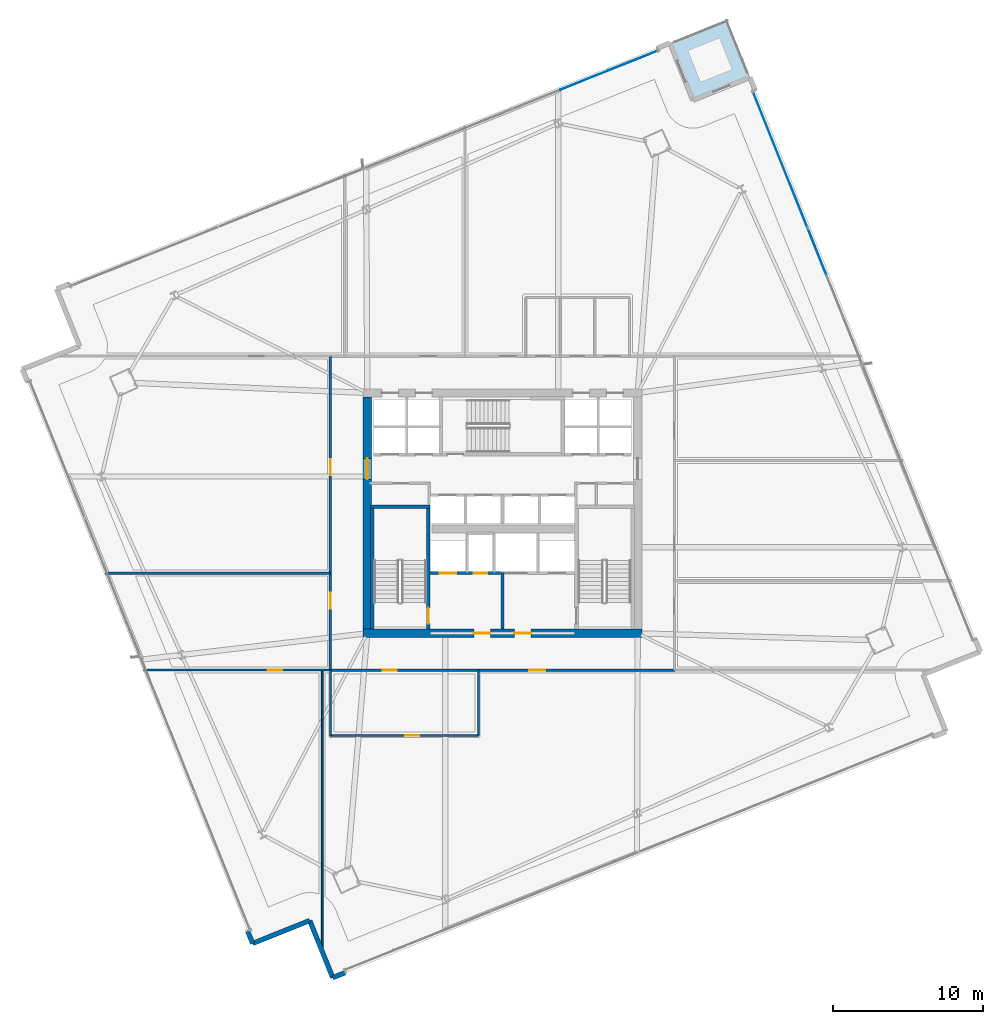
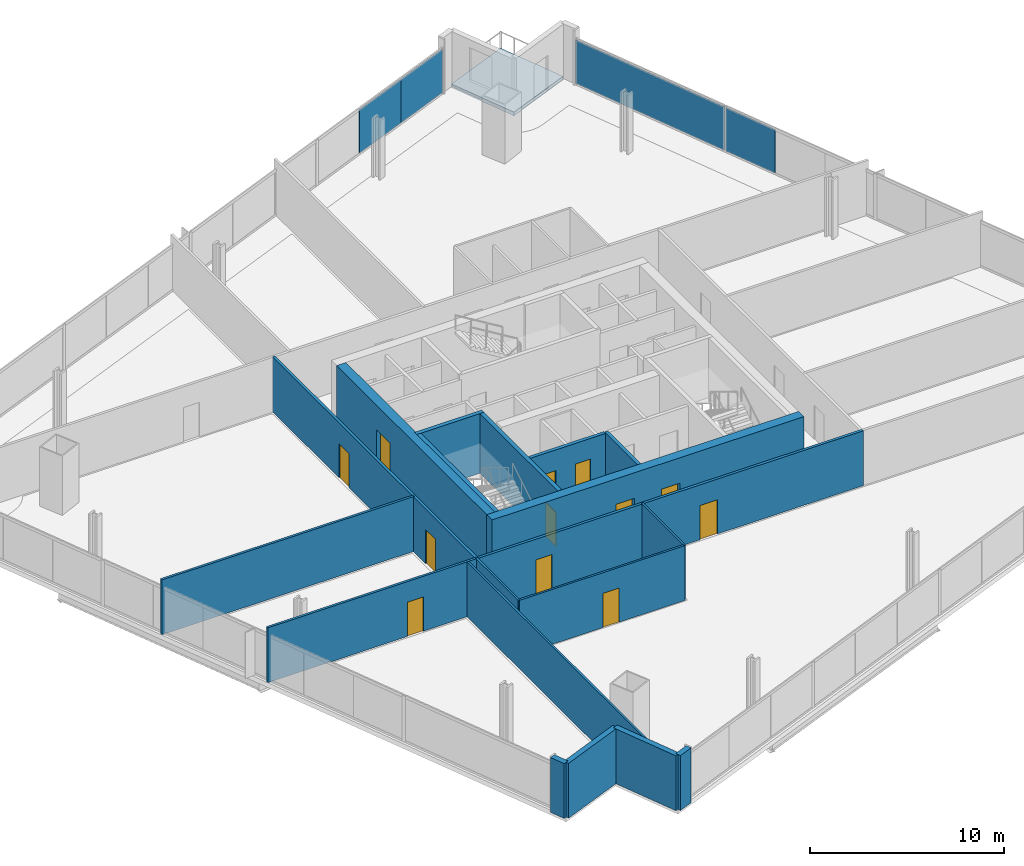
# One storey, part 24 of 33: 19 walls, 12 doors, 4 plates, 1 slab, 12 openings, 2 elements without a shape of their own.
"""IFC4 building model written with IfcOpenShell, lengths in metres."""

from ifc_helpers import new_model, si_unit, direction, frame, frame_2d, origin, origin_2d, place, context, subcontext, project, spatial, polyline, rectangle, outline, extrude, source, transform, mapped, material, layer, layer_set, type_object, element, fill, aggregate, save


model = new_model("IFC4")

# Units and contexts
model_context = context("Model", 3, precision=1e-05, world=origin(), true_north=direction((0.0, 1.0)))
body_context = subcontext(model_context, "Body", "Model", "MODEL_VIEW")
ifc_project = project(units=[si_unit("LENGTHUNIT", "METRE"), si_unit("AREAUNIT", "SQUARE_METRE"), si_unit("VOLUMEUNIT", "CUBIC_METRE"), si_unit("PLANEANGLEUNIT", "RADIAN"), si_unit("MASSUNIT", "GRAM", prefix="KILO")], contexts=[model_context])

# Site, building, storey
site_placement = place(None, origin())
site = spatial("IfcSite", under=ifc_project, at=site_placement, CompositionType="ELEMENT")
building_placement = place(site_placement, origin())
building = spatial("IfcBuilding", under=site, at=building_placement, Name="Haldenkirk Collegiate Tower", CompositionType="ELEMENT")
storey_placement = place(building_placement, frame((0.0, 0.0, 101.699951171875)))
storey = spatial("IfcBuildingStorey", under=building, at=storey_placement, Name="L24", CompositionType="ELEMENT", Elevation=101.699951171875)

# Slab
ifc_material_1 = material(Name="Concrete f'c 40 MPa", Category="concrete")
ifc_layer_1 = layer(ifc_material_1, 0.22998046875)
ifc_layer_set_1 = layer_set([ifc_layer_1], Name="Concrete f'c 40 MPa")
slab_type = type_object("IfcSlabType", Name="SLB-TERR-SPIRAL-230", PredefinedType="FLOOR", material=ifc_layer_set_1)
slab_placement = place(storey_placement, frame((0.0, 0.0, -0.22998046875)))
element("IfcSlab", 1, at=slab_placement, inside=storey, type_object=slab_type, Name="L24 spiralling corner terrace slab", PredefinedType="FLOOR", context=body_context, shape_type="SweptSolid", body=[
    extrude(outline(polyline([(48.67822265625, 53.49365234375), (52.483642578125, 55.01953125), (50.957763671875, 58.8251953125), (47.15234375, 57.299072265625), (48.67822265625, 53.49365234375)])), origin(), (0.0, 0.0, 1.0), 0.22998046875),
])

# Curtain wall, plates
ifc_material_2 = material(Name="Anodised architectural bronze aluminium", Category="aluminium")
curtain_wall_type = type_object("IfcCurtainWallType", Name="CW-SYS1-CONVEX-LOW", PredefinedType="USERDEFINED", material=ifc_material_2)
curtain_wall_1_placement = place(storey_placement, origin())
curtain_wall_1 = element("IfcCurtainWall", 2, at=curtain_wall_1_placement, inside=storey, type_object=curtain_wall_type, Name="L24 Lower tower convex bronze-framed unitised curtain wall", ObjectType="UNITISED CURTAIN WALL", PredefinedType="USERDEFINED")
ifc_material_3 = material(Name="Low-E argon triple insulating glass", Category="glass")
ifc_layer_2 = layer(ifc_material_3, 0.0439453125)
ifc_layer_set_2 = layer_set([ifc_layer_2], Name="Low-E argon triple insulating glass")
plate_type_1 = type_object("IfcPlateType", Name="CW-PNL-1A", PredefinedType="CURTAIN_PANEL", material=ifc_layer_set_2)
shared_shape_1 = source(origin(), body_context, "Body", "SweptSolid", [
    extrude(rectangle(XDim=9.72998046875, YDim=0.0439453125, at=origin_2d()), origin(), (0.0, 0.0, 1.0), 2.740966796875),
])
plate_1_placement = place(storey_placement, frame((54.491943359375, 49.527587890625, 0.080078125), z_axis=(0.0, 0.0, 1.0), x_axis=(0.372175157841, -0.928162513726, 0.0)))
plate_1 = element("IfcPlate", 3, at=plate_1_placement, type_object=plate_type_1, Name="CW-1A panel 1.1", PredefinedType="CURTAIN_PANEL", context=body_context, shape_type="MappedRepresentation", body=[
    mapped(shared_shape_1, transform((0.0, 0.0, 0.0), x_axis=(1.0, 0.0, 0.0), y_axis=(0.0, 1.0, 0.0), z_axis=(0.0, 0.0, 1.0), scale=1.0)),
])
ifc_material_4 = material(Name="Bronze-anodised insulated aluminium spandrel panel", Category="aluminium")
ifc_layer_3 = layer(ifc_material_4, 0.0439453125)
ifc_layer_set_3 = layer_set([ifc_layer_3], Name="Bronze-anodised insulated aluminium spandrel panel")
plate_type_2 = type_object("IfcPlateType", Name="CW-SPD-1A", PredefinedType="CURTAIN_PANEL", material=ifc_layer_set_3)
shared_shape_2 = source(origin(), body_context, "Body", "SweptSolid", [
    extrude(rectangle(XDim=3.244140625, YDim=0.0439453125, at=origin_2d()), origin(), (0.0, 0.0, 1.0), 2.740966796875),
])
plate_2_placement = place(storey_placement, frame((56.93603515625, 43.43212890625, 0.080078125), z_axis=(0.0, 0.0, 1.0), x_axis=(0.372175157841, -0.928162513726, 0.0)))
plate_2 = element("IfcPlate", 4, at=plate_2_placement, type_object=plate_type_2, Name="CW-1A spandrel panel 2.1a", PredefinedType="CURTAIN_PANEL", context=body_context, shape_type="MappedRepresentation", body=[
    mapped(shared_shape_2, transform((0.0, 0.0, 0.0), x_axis=(1.0, 0.0, 0.0), y_axis=(0.0, 1.0, 0.0), z_axis=(0.0, 0.0, 1.0), scale=1.0)),
])
aggregate(curtain_wall_1, [plate_1, plate_2])

curtain_wall_2_placement = place(storey_placement, origin())
curtain_wall_2 = element("IfcCurtainWall", 5, at=curtain_wall_2_placement, inside=storey, type_object=curtain_wall_type, Name="L24 Lower tower convex bronze-framed unitised curtain wall", ObjectType="UNITISED CURTAIN WALL", PredefinedType="USERDEFINED")
shared_shape_3 = source(origin(), body_context, "Body", "SweptSolid", [
    extrude(rectangle(XDim=3.464111328125, YDim=0.0439453125, at=origin_2d()), origin(), (0.0, 0.0, 1.0), 2.740966796875),
])
plate_3_placement = place(storey_placement, frame((44.7021484375, 56.12255859375, 0.080078125), z_axis=(0.0, 0.0, 1.0), x_axis=(0.928162583061, 0.372174984928, 0.0)))
plate_3 = element("IfcPlate", 6, at=plate_3_placement, type_object=plate_type_1, Name="CW-1A panel 4.1c", PredefinedType="CURTAIN_PANEL", context=body_context, shape_type="MappedRepresentation", body=[
    mapped(shared_shape_3, transform((0.0, 0.0, 0.0), x_axis=(1.0, 0.0, 0.0), y_axis=(0.0, 1.0, 0.0), z_axis=(0.0, 0.0, 1.0), scale=1.0)),
])
shared_shape_4 = source(origin(), body_context, "Body", "SweptSolid", [
    extrude(rectangle(XDim=3.45166015625, YDim=0.0439453125, at=origin_2d()), origin(), (0.0, 0.0, 1.0), 2.740966796875),
])
plate_4_placement = place(storey_placement, frame((41.469482421875, 54.826416015625, 0.080078125), z_axis=(0.0, 0.0, 1.0), x_axis=(0.928162583061, 0.372174984928, 0.0)))
plate_4 = element("IfcPlate", 7, at=plate_4_placement, type_object=plate_type_1, Name="CW-1A panel 4.1b", PredefinedType="CURTAIN_PANEL", context=body_context, shape_type="MappedRepresentation", body=[
    mapped(shared_shape_4, transform((0.0, 0.0, 0.0), x_axis=(1.0, 0.0, 0.0), y_axis=(0.0, 1.0, 0.0), z_axis=(0.0, 0.0, 1.0), scale=1.0)),
])
aggregate(curtain_wall_2, [plate_4, plate_3])

# Wall, openings, doors
ifc_material_5 = material(Name="Concrete f'c 70 MPa", Category="concrete")
ifc_layer_4 = layer(ifc_material_5, 0.550048828125)
ifc_layer_set_4 = layer_set([ifc_layer_4], Name="Concrete f'c 70 MPa")
wall_type_1 = type_object("IfcWallType", Name="WL-CORE-550", PredefinedType="SHEAR", material=ifc_layer_set_4)
wall_1_placement = place(storey_placement, frame((26.72509765625, 18.0, 0.0), z_axis=(0.0, 0.0, 1.0), x_axis=(1.0, 0.0, 0.0)))
wall_1 = element("IfcWall", 8, at=wall_1_placement, inside=storey, type_object=wall_type_1, Name="L24 central core shear wall S", PredefinedType="SHEAR", context=body_context, shape_type="SweptSolid", body=[
    extrude(rectangle(XDim=18.5498046875, YDim=0.550048828125, at=frame_2d((9.27490234375, 0.0))), origin(), (0.0, 0.0, 1.0), 3.75),
])
opening_1_placement = place(wall_1_placement, frame((7.375, 0.0, 0.0)))
opening_1 = element("IfcOpeningElement", 9, at=opening_1_placement, cuts=wall_1, Name="Opening D-02", PredefinedType="OPENING", context=body_context, shape_type="SweptSolid", body=[
    extrude(rectangle(XDim=1.10009765625, YDim=2.14990234375, at=frame_2d((0.550048828125, 1.074951171875))), frame((0.0, 0.284912109375, 0.0), z_axis=(0.0, -1.0, 0.0), x_axis=(1.0, 0.0, 0.0)), (0.0, 0.0, 1.0), 0.570068359375),
])
opening_2_placement = place(wall_1_placement, frame((10.074951171875, 0.0, 0.0)))
opening_2 = element("IfcOpeningElement", 10, at=opening_2_placement, cuts=wall_1, Name="Opening D-02", PredefinedType="OPENING", context=body_context, shape_type="SweptSolid", body=[
    extrude(rectangle(XDim=1.10009765625, YDim=2.14990234375, at=frame_2d((0.550048828125, 1.074951171875))), frame((0.0, 0.284912109375, 0.0), z_axis=(0.0, -1.0, 0.0), x_axis=(1.0, 0.0, 0.0)), (0.0, 0.0, 1.0), 0.570068359375),
])
ifc_material_6 = material(Name="Galvanized fire-rated hollow steel door", Category="steel")
ifc_layer_5 = layer(ifc_material_6, 0.06005859375)
ifc_layer_set_5 = layer_set([ifc_layer_5], Name="Galvanized fire-rated hollow steel door")
door_type_1 = type_object("IfcDoorType", Name="DR-STAIR-FD90-1100", OperationType="NOTDEFINED", PredefinedType="DOOR", material=ifc_layer_set_5)
door_1_placement = place(opening_1_placement, origin())
door_1 = element("IfcDoor", 11, at=door_1_placement, inside=storey, type_object=door_type_1, Name="L24 Firefighting Lobby 1 door", OperationType="SINGLE_SWING_RIGHT", OverallHeight=2.14990234375, OverallWidth=1.10009765625, PredefinedType="DOOR", context=body_context, shape_type="SweptSolid", body=[
    extrude(rectangle(XDim=1.10009765625, YDim=2.14990234375, at=frame_2d((0.550048828125, 1.074951171875))), frame((0.0, 0.02490234375, 0.0), z_axis=(0.0, -1.0, 0.0), x_axis=(1.0, 0.0, 0.0)), (0.0, 0.0, 1.0), 0.050048828125),
])
fill(opening_1, door_1)
door_2_placement = place(opening_2_placement, origin())
door_2 = element("IfcDoor", 12, at=door_2_placement, inside=storey, type_object=door_type_1, Name="L24 Firefighting Lobby 2 door", OperationType="SINGLE_SWING_LEFT", OverallHeight=2.14990234375, OverallWidth=1.10009765625, PredefinedType="DOOR", context=body_context, shape_type="SweptSolid", body=[
    extrude(rectangle(XDim=1.10009765625, YDim=2.14990234375, at=frame_2d((0.550048828125, 1.074951171875))), frame((0.0, 0.02490234375, 0.0), z_axis=(0.0, -1.0, 0.0), x_axis=(1.0, 0.0, 0.0)), (0.0, 0.0, 1.0), 0.050048828125),
])
fill(opening_2, door_2)

# Wall, opening, door
wall_2_placement = place(storey_placement, frame((27.0, 18.27490234375, 0.0), z_axis=(0.0, 0.0, 1.0), x_axis=(0.0, 1.0, 0.0)))
wall_2 = element("IfcWall", 13, at=wall_2_placement, inside=storey, type_object=wall_type_1, Name="L24 central core shear wall W", PredefinedType="SHEAR", context=body_context, shape_type="SweptSolid", body=[
    extrude(rectangle(XDim=15.4501953125, YDim=0.550048828125, at=frame_2d((7.72509765625, 0.0))), origin(), (0.0, 0.0, 1.0), 3.75),
])
opening_3_placement = place(wall_2_placement, frame((9.965087890625, 0.0, 0.0)))
opening_3 = element("IfcOpeningElement", 14, at=opening_3_placement, cuts=wall_2, Name="Opening D-03", PredefinedType="OPENING", context=body_context, shape_type="SweptSolid", body=[
    extrude(rectangle(XDim=1.39990234375, YDim=2.199951171875, at=frame_2d((0.699951171875, 1.10009765625))), frame((0.0, 0.284912109375, 0.0), z_axis=(0.0, -1.0, 0.0), x_axis=(1.0, 0.0, 0.0)), (0.0, 0.0, 1.0), 0.570068359375),
])
ifc_layer_6 = layer(ifc_material_6, 0.06005859375)
ifc_layer_set_6 = layer_set([ifc_layer_6], Name="Galvanized fire-rated hollow steel door")
door_type_2 = type_object("IfcDoorType", Name="DR-LOBBY-FD90-1400", OperationType="NOTDEFINED", PredefinedType="DOOR", material=ifc_layer_set_6)
door_3_placement = place(opening_3_placement, origin())
door_3 = element("IfcDoor", 15, at=door_3_placement, inside=storey, type_object=door_type_2, Name="L24 west lift lobby portal", OperationType="DOUBLE_DOOR_SINGLE_SWING", OverallHeight=2.199951171875, OverallWidth=1.39990234375, PredefinedType="DOOR", context=body_context, shape_type="SweptSolid", body=[
    extrude(rectangle(XDim=1.39990234375, YDim=2.199951171875, at=frame_2d((0.699951171875, 1.10009765625))), frame((0.0, 0.02490234375, 0.0), z_axis=(0.0, -1.0, 0.0), x_axis=(1.0, 0.0, 0.0)), (0.0, 0.0, 1.0), 0.050048828125),
])
fill(opening_3, door_3)

# Walls
ifc_material_7 = material(Name="Precast concrete f'c 40 MPa", Category="concrete")
ifc_layer_7 = layer(ifc_material_7, 0.320068359375)
ifc_layer_set_7 = layer_set([ifc_layer_7], Name="Precast concrete f'c 40 MPa")
wall_type_2 = type_object("IfcWallType", Name="WL-EXT-TWR-320", PredefinedType="STANDARD", material=ifc_layer_set_7)
wall_3_placement = place(storey_placement, frame((25.5341796875, -4.593017578125, 0.0), z_axis=(0.0, 0.0, 1.0), x_axis=(-0.928177092072, -0.372138799042, 0.0)))
element("IfcWall", 16, at=wall_3_placement, inside=storey, type_object=wall_type_2, Name="L24 precast corner pier SR", PredefinedType="STANDARD", context=body_context, shape_type="SweptSolid", body=[
    extrude(rectangle(XDim=0.900146484375, YDim=0.320068359375, at=frame_2d((0.4501953125, 0.0))), origin(), (0.0, 0.0, 1.0), 3.449951171875),
])
wall_4_placement = place(storey_placement, frame((19.367431640625, -2.648193359375, 0.0), z_axis=(0.0, 0.0, 1.0), x_axis=(-0.372232509314, 0.928139514841, 0.0)))
element("IfcWall", 17, at=wall_4_placement, inside=storey, type_object=wall_type_2, Name="L24 precast corner pier WL", PredefinedType="STANDARD", context=body_context, shape_type="SweptSolid", body=[
    extrude(rectangle(XDim=0.89990234375, YDim=0.320068359375, at=frame_2d((0.449951171875, 0.0))), origin(), (0.0, 0.0, 1.0), 3.449951171875),
])
wall_5_placement = place(storey_placement, frame((23.1728515625, -1.122314453125, 0.0), z_axis=(0.0, 0.0, 1.0), x_axis=(-0.92816425287, -0.372170820584, 0.0)))
element("IfcWall", 18, at=wall_5_placement, inside=storey, type_object=wall_type_2, Name="L24 bronze precast notch wall 11", PredefinedType="STANDARD", context=body_context, shape_type="SweptSolid", body=[
    extrude(rectangle(XDim=4.099853515625, YDim=0.320068359375, at=frame_2d((2.0498046875, 0.0))), origin(), (0.0, 0.0, 1.0), 3.449951171875),
])
wall_6_placement = place(storey_placement, frame((24.69873046875, -4.927978515625, 0.0), z_axis=(0.0, 0.0, 1.0), x_axis=(-0.372150251858, 0.928172500154, 0.0)))
element("IfcWall", 19, at=wall_6_placement, inside=storey, type_object=wall_type_2, Name="L24 bronze precast notch wall 12", PredefinedType="STANDARD", context=body_context, shape_type="SweptSolid", body=[
    extrude(rectangle(XDim=4.10009765625, YDim=0.320068359375, at=frame_2d((2.050048828125, 0.0))), origin(), (0.0, 0.0, 1.0), 3.449951171875),
])

# Wall, openings, doors
ifc_material_8 = material(Name="Acoustic fire-rated gypsum partition", Category="concrete")
ifc_layer_8 = layer(ifc_material_8, 0.159912109375)
ifc_layer_set_8 = layer_set([ifc_layer_8], Name="Acoustic fire-rated gypsum partition")
wall_type_3 = type_object("IfcWallType", Name="WL-INT-CORR-160", PredefinedType="PARTITIONING", material=ifc_layer_set_8)
wall_7_placement = place(storey_placement, frame((24.5, 15.550048828125, 0.0), z_axis=(0.0, 0.0, 1.0), x_axis=(1.0, 0.0, 0.0)))
wall_7 = element("IfcWall", 20, at=wall_7_placement, inside=storey, type_object=wall_type_3, Name="L24 interior partition IW-L24-CS", PredefinedType="PARTITIONING", context=body_context, shape_type="SweptSolid", body=[
    extrude(rectangle(XDim=23.0, YDim=0.159912109375, at=frame_2d((11.5, 0.0))), origin(), (0.0, 0.0, 1.0), 3.449951171875),
])
opening_4_placement = place(wall_7_placement, frame((3.52490234375, 0.0, 0.0)))
opening_4 = element("IfcOpeningElement", 21, at=opening_4_placement, cuts=wall_7, Name="Opening D-10", PredefinedType="OPENING", context=body_context, shape_type="SweptSolid", body=[
    extrude(rectangle(XDim=0.949951171875, YDim=2.14990234375, at=frame_2d((0.47509765625, 1.074951171875))), frame((0.0, 0.08984375, 0.0), z_axis=(0.0, -1.0, 0.0), x_axis=(1.0, 0.0, 0.0)), (0.0, 0.0, 1.0), 0.179931640625),
])
opening_5_placement = place(wall_7_placement, frame((13.287109375, 0.0, 0.0)))
opening_5 = element("IfcOpeningElement", 22, at=opening_5_placement, cuts=wall_7, Name="Opening D-09", PredefinedType="OPENING", context=body_context, shape_type="SweptSolid", body=[
    extrude(rectangle(XDim=1.050048828125, YDim=2.14990234375, at=frame_2d((0.52490234375, 1.074951171875))), frame((0.0, 0.08984375, 0.0), z_axis=(0.0, -1.0, 0.0), x_axis=(1.0, 0.0, 0.0)), (0.0, 0.0, 1.0), 0.179931640625),
])
ifc_material_9 = material(Name="Solid-core architectural oak fire door", Category="wood")
ifc_layer_9 = layer(ifc_material_9, 0.06005859375)
ifc_layer_set_9 = layer_set([ifc_layer_9], Name="Solid-core architectural oak fire door")
door_type_3 = type_object("IfcDoorType", Name="DR-INT-FD60-1050", OperationType="NOTDEFINED", PredefinedType="DOOR", material=ifc_layer_set_9)
door_4_placement = place(opening_5_placement, origin())
door_4 = element("IfcDoor", 23, at=door_4_placement, inside=storey, type_object=door_type_3, Name="L24 Senior Fellow Office 2 door", OperationType="SINGLE_SWING_LEFT", OverallHeight=2.14990234375, OverallWidth=1.050048828125, PredefinedType="DOOR", context=body_context, shape_type="SweptSolid", body=[
    extrude(rectangle(XDim=1.050048828125, YDim=2.14990234375, at=frame_2d((0.52490234375, 1.074951171875))), frame((0.0, 0.02490234375, 0.0), z_axis=(0.0, -1.0, 0.0), x_axis=(1.0, 0.0, 0.0)), (0.0, 0.0, 1.0), 0.050048828125),
])
fill(opening_5, door_4)
ifc_layer_10 = layer(ifc_material_9, 0.06005859375)
ifc_layer_set_10 = layer_set([ifc_layer_10], Name="Solid-core architectural oak fire door")
door_type_4 = type_object("IfcDoorType", Name="DR-INT-FD60-950", OperationType="NOTDEFINED", PredefinedType="DOOR", material=ifc_layer_set_10)
door_5_placement = place(opening_4_placement, origin())
door_5 = element("IfcDoor", 24, at=door_5_placement, inside=storey, type_object=door_type_4, Name="L24 Inner Research Focus Room corridor door", OperationType="SINGLE_SWING_RIGHT", OverallHeight=2.14990234375, OverallWidth=0.949951171875, PredefinedType="DOOR", context=body_context, shape_type="SweptSolid", body=[
    extrude(rectangle(XDim=0.949951171875, YDim=2.14990234375, at=frame_2d((0.47509765625, 1.074951171875))), frame((0.0, 0.02490234375, 0.0), z_axis=(0.0, -1.0, 0.0), x_axis=(1.0, 0.0, 0.0)), (0.0, 0.0, 1.0), 0.050048828125),
])
fill(opening_4, door_5)

wall_8_placement = place(storey_placement, frame((24.550048828125, 15.550048828125, 0.0), z_axis=(0.0, 0.0, 1.0), x_axis=(0.0, 1.0, 0.0)))
wall_8 = element("IfcWall", 25, at=wall_8_placement, inside=storey, type_object=wall_type_3, Name="L24 interior partition IW-L24-CW", PredefinedType="PARTITIONING", context=body_context, shape_type="SweptSolid", body=[
    extrude(rectangle(XDim=20.89990234375, YDim=0.159912109375, at=frame_2d((10.449951171875, 0.0))), origin(), (0.0, 0.0, 1.0), 3.449951171875),
])
opening_6_placement = place(wall_8_placement, frame((4.0869140625, 0.0, 0.0)))
opening_6 = element("IfcOpeningElement", 26, at=opening_6_placement, cuts=wall_8, Name="Opening D-09", PredefinedType="OPENING", context=body_context, shape_type="SweptSolid", body=[
    extrude(rectangle(XDim=1.050048828125, YDim=2.14990234375, at=frame_2d((0.52490234375, 1.074951171875))), frame((0.0, 0.08984375, 0.0), z_axis=(0.0, -1.0, 0.0), x_axis=(1.0, 0.0, 0.0)), (0.0, 0.0, 1.0), 0.179931640625),
])
opening_7_placement = place(wall_8_placement, frame((12.98388671875, 0.0, 0.0)))
opening_7 = element("IfcOpeningElement", 27, at=opening_7_placement, cuts=wall_8, Name="Opening D-09", PredefinedType="OPENING", context=body_context, shape_type="SweptSolid", body=[
    extrude(rectangle(XDim=1.050048828125, YDim=2.14990234375, at=frame_2d((0.52490234375, 1.074951171875))), frame((0.0, 0.08984375, 0.0), z_axis=(0.0, -1.0, 0.0), x_axis=(1.0, 0.0, 0.0)), (0.0, 0.0, 1.0), 0.179931640625),
])
door_6_placement = place(opening_6_placement, origin())
door_6 = element("IfcDoor", 28, at=door_6_placement, inside=storey, type_object=door_type_3, Name="L24 Curator Office 6 door", OperationType="SINGLE_SWING_LEFT", OverallHeight=2.14990234375, OverallWidth=1.050048828125, PredefinedType="DOOR", context=body_context, shape_type="SweptSolid", body=[
    extrude(rectangle(XDim=1.050048828125, YDim=2.14990234375, at=frame_2d((0.52490234375, 1.074951171875))), frame((0.0, 0.02490234375, 0.0), z_axis=(0.0, -1.0, 0.0), x_axis=(1.0, 0.0, 0.0)), (0.0, 0.0, 1.0), 0.050048828125),
])
fill(opening_6, door_6)
door_7_placement = place(opening_7_placement, origin())
door_7 = element("IfcDoor", 29, at=door_7_placement, inside=storey, type_object=door_type_3, Name="L24 Faculty Office 7 door", OperationType="SINGLE_SWING_RIGHT", OverallHeight=2.14990234375, OverallWidth=1.050048828125, PredefinedType="DOOR", context=body_context, shape_type="SweptSolid", body=[
    extrude(rectangle(XDim=1.050048828125, YDim=2.14990234375, at=frame_2d((0.52490234375, 1.074951171875))), frame((0.0, 0.02490234375, 0.0), z_axis=(0.0, -1.0, 0.0), x_axis=(1.0, 0.0, 0.0)), (0.0, 0.0, 1.0), 0.050048828125),
])
fill(opening_7, door_7)

# Wall, opening, door
ifc_layer_11 = layer(ifc_material_8, 0.139892578125)
ifc_layer_set_11 = layer_set([ifc_layer_11], Name="Acoustic fire-rated gypsum partition")
wall_type_4 = type_object("IfcWallType", Name="WL-INT-DIV-140", PredefinedType="PARTITIONING", material=ifc_layer_set_11)
wall_9_placement = place(storey_placement, frame((12.11328125, 15.550048828125, 0.0), z_axis=(0.0, 0.0, 1.0), x_axis=(1.0, 0.0, 0.0)))
wall_9 = element("IfcWall", 30, at=wall_9_placement, inside=storey, type_object=wall_type_4, Name="L24 interior partition IW-L24-BWS", PredefinedType="PARTITIONING", context=body_context, shape_type="SweptSolid", body=[
    extrude(rectangle(XDim=12.436767578125, YDim=0.139892578125, at=frame_2d((6.21826171875, 0.0))), origin(), (0.0, 0.0, 1.0), 3.449951171875),
])
opening_8_placement = place(wall_9_placement, frame((8.275634765625, 0.0, 0.0)))
opening_8 = element("IfcOpeningElement", 31, at=opening_8_placement, cuts=wall_9, Name="Opening D-12", PredefinedType="OPENING", context=body_context, shape_type="SweptSolid", body=[
    extrude(rectangle(XDim=0.949951171875, YDim=2.14990234375, at=frame_2d((0.47509765625, 1.074951171875))), frame((0.0, 0.079833984375, 0.0), z_axis=(0.0, -1.0, 0.0), x_axis=(1.0, 0.0, 0.0)), (0.0, 0.0, 1.0), 0.159912109375),
])
ifc_layer_12 = layer(ifc_material_9, 0.06005859375)
ifc_layer_set_12 = layer_set([ifc_layer_12], Name="Solid-core architectural oak fire door")
door_type_5 = type_object("IfcDoorType", Name="DR-INT-STD-950", OperationType="NOTDEFINED", PredefinedType="DOOR", material=ifc_layer_set_12)
door_8_placement = place(opening_8_placement, origin())
door_8 = element("IfcDoor", 32, at=door_8_placement, inside=storey, type_object=door_type_5, Name="L24 Faculty Office 1 door", OperationType="SINGLE_SWING_RIGHT", OverallHeight=2.14990234375, OverallWidth=0.949951171875, PredefinedType="DOOR", context=body_context, shape_type="SweptSolid", body=[
    extrude(rectangle(XDim=0.949951171875, YDim=2.14990234375, at=frame_2d((0.47509765625, 1.074951171875))), frame((0.0, 0.02490234375, 0.0), z_axis=(0.0, -1.0, 0.0), x_axis=(1.0, 0.0, 0.0)), (0.0, 0.0, 1.0), 0.050048828125),
])
fill(opening_8, door_8)

# Walls
wall_10_placement = place(storey_placement, frame((9.52685546875, 22.0, 0.0), z_axis=(0.0, 0.0, 1.0), x_axis=(1.0, 0.0, 0.0)))
element("IfcWall", 33, at=wall_10_placement, inside=storey, type_object=wall_type_4, Name="L24 interior partition IW-L24-RW1", PredefinedType="PARTITIONING", context=body_context, shape_type="SweptSolid", body=[
    extrude(rectangle(XDim=15.023193359375, YDim=0.139892578125, at=frame_2d((7.51171875, 0.0))), origin(), (0.0, 0.0, 1.0), 3.449951171875),
])
ifc_material_10 = material(Name="Fire-rated gypsum shaftboard assembly", Category="concrete")
ifc_layer_13 = layer(ifc_material_10, 0.199951171875)
ifc_layer_set_13 = layer_set([ifc_layer_13], Name="Fire-rated gypsum shaftboard assembly")
wall_type_5 = type_object("IfcWallType", Name="WL-INT-SHAFT-200", PredefinedType="PARTITIONING", material=ifc_layer_set_13)
wall_11_placement = place(storey_placement, frame((36.0, 18.280029296875, 0.0), z_axis=(0.0, 0.0, 1.0), x_axis=(0.0, 1.0, 0.0)))
element("IfcWall", 34, at=wall_11_placement, inside=storey, type_object=wall_type_5, Name="L24 interior partition IW-L24-FFLM", PredefinedType="PARTITIONING", context=body_context, shape_type="SweptSolid", body=[
    extrude(rectangle(XDim=3.77001953125, YDim=0.199951171875, at=frame_2d((1.885009765625, 0.0))), origin(), (0.0, 0.0, 1.0), 3.449951171875),
])

# Wall, openings, doors
wall_12_placement = place(storey_placement, frame((31.18994140625, 22.0, 0.0), z_axis=(0.0, 0.0, 1.0), x_axis=(1.0, 0.0, 0.0)))
wall_12 = element("IfcWall", 35, at=wall_12_placement, inside=storey, type_object=wall_type_5, Name="L24 interior partition IW-L24-FFL1N", PredefinedType="PARTITIONING", context=body_context, shape_type="SweptSolid", body=[
    extrude(rectangle(XDim=4.68994140625, YDim=0.199951171875, at=frame_2d((2.344970703125, 0.0))), origin(), (0.0, 0.0, 1.0), 3.449951171875),
])
opening_9_placement = place(wall_12_placement, frame((2.909912109375, 0.0, 0.0)))
opening_9 = element("IfcOpeningElement", 36, at=opening_9_placement, cuts=wall_12, Name="Opening D-06", PredefinedType="OPENING", context=body_context, shape_type="SweptSolid", body=[
    extrude(rectangle(XDim=0.89990234375, YDim=2.14990234375, at=frame_2d((0.449951171875, 1.074951171875))), frame((0.0, 0.10986328125, 0.0), z_axis=(0.0, -1.0, 0.0), x_axis=(1.0, 0.0, 0.0)), (0.0, 0.0, 1.0), 0.219970703125),
])
opening_10_placement = place(wall_12_placement, frame((0.635009765625, 0.0, 0.0)))
opening_10 = element("IfcOpeningElement", 37, at=opening_10_placement, cuts=wall_12, Name="Opening LD-12", PredefinedType="OPENING", context=body_context, shape_type="SweptSolid", body=[
    extrude(rectangle(XDim=1.10009765625, YDim=2.14990234375, at=frame_2d((0.550048828125, 1.074951171875))), frame((0.0, 0.10986328125, 0.0), z_axis=(0.0, -1.0, 0.0), x_axis=(1.0, 0.0, 0.0)), (0.0, 0.0, 1.0), 0.219970703125),
])
ifc_layer_14 = layer(ifc_material_6, 0.06005859375)
ifc_layer_set_14 = layer_set([ifc_layer_14], Name="Galvanized fire-rated hollow steel door")
door_type_6 = type_object("IfcDoorType", Name="DR-INT-FD90-900", OperationType="NOTDEFINED", PredefinedType="DOOR", material=ifc_layer_set_14)
door_9_placement = place(opening_9_placement, origin())
door_9 = element("IfcDoor", 38, at=door_9_placement, inside=storey, type_object=door_type_6, Name="L24 electrical riser door", OperationType="SINGLE_SWING_RIGHT", OverallHeight=2.14990234375, OverallWidth=0.89990234375, PredefinedType="DOOR", context=body_context, shape_type="SweptSolid", body=[
    extrude(rectangle(XDim=0.89990234375, YDim=2.14990234375, at=frame_2d((0.449951171875, 1.074951171875))), frame((0.0, 0.02490234375, 0.0), z_axis=(0.0, -1.0, 0.0), x_axis=(1.0, 0.0, 0.0)), (0.0, 0.0, 1.0), 0.050048828125),
])
fill(opening_9, door_9)
ifc_material_11 = material(Name="Brushed architectural stainless steel", Category="steel")
ifc_layer_15 = layer(ifc_material_11, 0.06005859375)
ifc_layer_set_15 = layer_set([ifc_layer_15], Name="Brushed architectural stainless steel")
door_type_7 = type_object("IfcDoorType", Name="LD-FIRE-1100", OperationType="NOTDEFINED", PredefinedType="DOOR", material=ifc_layer_set_15)
door_10_placement = place(opening_10_placement, origin())
door_10 = element("IfcDoor", 39, at=door_10_placement, inside=storey, type_object=door_type_7, Name="L24 Elevator FL1 sliding landing door", OperationType="SLIDING_TO_LEFT", OverallHeight=2.14990234375, OverallWidth=1.10009765625, PredefinedType="DOOR", context=body_context, shape_type="SweptSolid", body=[
    extrude(rectangle(XDim=1.10009765625, YDim=2.14990234375, at=frame_2d((0.550048828125, 1.074951171875))), frame((0.0, 0.02490234375, 0.0), z_axis=(0.0, -1.0, 0.0), x_axis=(1.0, 0.0, 0.0)), (0.0, 0.0, 1.0), 0.050048828125),
])
fill(opening_10, door_10)

# Walls
ifc_layer_16 = layer(ifc_material_8, 0.1201171875)
ifc_layer_set_16 = layer_set([ifc_layer_16], Name="Acoustic fire-rated gypsum partition")
wall_type_6 = type_object("IfcWallType", Name="WL-INT-WET-120", PredefinedType="PARTITIONING", material=ifc_layer_set_16)
wall_13_placement = place(storey_placement, frame((24.0, -3.07763671875, 0.0), z_axis=(0.0, 0.0, 1.0), x_axis=(0.0, 1.0, 0.0)))
element("IfcWall", 40, at=wall_13_placement, inside=storey, type_object=wall_type_6, Name="L24 interior partition IW-L24-RS1", PredefinedType="PARTITIONING", context=body_context, shape_type="SweptSolid", body=[
    extrude(rectangle(XDim=18.627685546875, YDim=0.1201171875, at=frame_2d((9.31396484375, 0.0))), origin(), (0.0, 0.0, 1.0), 3.449951171875),
])
wall_14_placement = place(storey_placement, frame((24.550048828125, 11.199951171875, 0.0), z_axis=(0.0, 0.0, 1.0), x_axis=(0.0, 1.0, 0.0)))
element("IfcWall", 41, at=wall_14_placement, inside=storey, type_object=wall_type_6, Name="L24 interior partition IW-L24-SUBSW", PredefinedType="PARTITIONING", context=body_context, shape_type="SweptSolid", body=[
    extrude(rectangle(XDim=4.35009765625, YDim=0.1201171875, at=frame_2d((2.175048828125, 0.0))), origin(), (0.0, 0.0, 1.0), 3.449951171875),
])

# Wall, opening, door
wall_15_placement = place(storey_placement, frame((24.550048828125, 11.199951171875, 0.0), z_axis=(0.0, 0.0, 1.0), x_axis=(1.0, 0.0, 0.0)))
wall_15 = element("IfcWall", 42, at=wall_15_placement, inside=storey, type_object=wall_type_6, Name="L24 interior partition IW-L24-SUBS", PredefinedType="PARTITIONING", context=body_context, shape_type="SweptSolid", body=[
    extrude(rectangle(XDim=9.849853515625, YDim=0.1201171875, at=frame_2d((4.9248046875, 0.0))), origin(), (0.0, 0.0, 1.0), 3.449951171875),
])
opening_11_placement = place(wall_15_placement, frame((4.97509765625, 0.0, 0.0)))
opening_11 = element("IfcOpeningElement", 43, at=opening_11_placement, cuts=wall_15, Name="Opening D-12", PredefinedType="OPENING", context=body_context, shape_type="SweptSolid", body=[
    extrude(rectangle(XDim=0.949951171875, YDim=2.14990234375, at=frame_2d((0.47509765625, 1.074951171875))), frame((0.0, 0.070068359375, 0.0), z_axis=(0.0, -1.0, 0.0), x_axis=(1.0, 0.0, 0.0)), (0.0, 0.0, 1.0), 0.14013671875),
])
door_11_placement = place(opening_11_placement, origin())
door_11 = element("IfcDoor", 44, at=door_11_placement, inside=storey, type_object=door_type_5, Name="L24 Inner Research Focus Room suite door", OperationType="SINGLE_SWING_LEFT", OverallHeight=2.14990234375, OverallWidth=0.949951171875, PredefinedType="DOOR", context=body_context, shape_type="SweptSolid", body=[
    extrude(rectangle(XDim=0.949951171875, YDim=2.14990234375, at=frame_2d((0.47509765625, 1.074951171875))), frame((0.0, 0.02490234375, 0.0), z_axis=(0.0, -1.0, 0.0), x_axis=(1.0, 0.0, 0.0)), (0.0, 0.0, 1.0), 0.050048828125),
])
fill(opening_11, door_11)

# Wall
wall_16_placement = place(storey_placement, frame((34.39990234375, 11.199951171875, 0.0), z_axis=(0.0, 0.0, 1.0), x_axis=(0.0, 1.0, 0.0)))
element("IfcWall", 45, at=wall_16_placement, inside=storey, type_object=wall_type_6, Name="L24 interior partition IW-L24-SUBSE", PredefinedType="PARTITIONING", context=body_context, shape_type="SweptSolid", body=[
    extrude(rectangle(XDim=4.35009765625, YDim=0.1201171875, at=frame_2d((2.175048828125, 0.0))), origin(), (0.0, 0.0, 1.0), 3.449951171875),
])

# Wall, opening, door
ifc_material_12 = material(Name="Concrete f'c 55 MPa", Category="concrete")
ifc_layer_17 = layer(ifc_material_12, 0.239990234375)
ifc_layer_set_17 = layer_set([ifc_layer_17], Name="Concrete f'c 55 MPa")
wall_type_7 = type_object("IfcWallType", Name="WL-SHAFT-240", PredefinedType="SHEAR", material=ifc_layer_set_17)
wall_17_placement = place(storey_placement, frame((31.070068359375, 18.280029296875, 0.0), z_axis=(0.0, 0.0, 1.0), x_axis=(0.0, 1.0, 0.0)))
wall_17 = element("IfcWall", 46, at=wall_17_placement, inside=storey, type_object=wall_type_7, Name="L24 stair shaft shear wall SW-L24-ST1E", PredefinedType="SHEAR", context=body_context, shape_type="SweptSolid", body=[
    extrude(rectangle(XDim=8.260009765625, YDim=0.239990234375, at=frame_2d((4.1298828125, 0.0))), origin(), (0.0, 0.0, 1.0), 3.75),
])
opening_12_placement = place(wall_17_placement, frame((0.364990234375, 0.0, 0.0)))
opening_12 = element("IfcOpeningElement", 47, at=opening_12_placement, cuts=wall_17, Name="Opening D-01", PredefinedType="OPENING", context=body_context, shape_type="SweptSolid", body=[
    extrude(rectangle(XDim=1.050048828125, YDim=2.14990234375, at=frame_2d((0.52490234375, 1.074951171875))), frame((0.0, 0.1298828125, 0.0), z_axis=(0.0, -1.0, 0.0), x_axis=(1.0, 0.0, 0.0)), (0.0, 0.0, 1.0), 0.260009765625),
])
ifc_layer_18 = layer(ifc_material_6, 0.06005859375)
ifc_layer_set_18 = layer_set([ifc_layer_18], Name="Galvanized fire-rated hollow steel door")
door_type_8 = type_object("IfcDoorType", Name="DR-STAIR-FD90-1050", OperationType="NOTDEFINED", PredefinedType="DOOR", material=ifc_layer_set_18)
door_12_placement = place(opening_12_placement, origin())
door_12 = element("IfcDoor", 48, at=door_12_placement, inside=storey, type_object=door_type_8, Name="L24 Stair 1 door", OperationType="SINGLE_SWING_LEFT", OverallHeight=2.14990234375, OverallWidth=1.050048828125, PredefinedType="DOOR", context=body_context, shape_type="SweptSolid", body=[
    extrude(rectangle(XDim=1.050048828125, YDim=2.14990234375, at=frame_2d((0.52490234375, 1.074951171875))), frame((0.0, 0.02490234375, 0.0), z_axis=(0.0, -1.0, 0.0), x_axis=(1.0, 0.0, 0.0)), (0.0, 0.0, 1.0), 0.050048828125),
])
fill(opening_12, door_12)

# Walls
wall_18_placement = place(storey_placement, frame((27.2099609375, 26.419921875, 0.0), z_axis=(0.0, 0.0, 1.0), x_axis=(1.0, 0.0, 0.0)))
element("IfcWall", 49, at=wall_18_placement, inside=storey, type_object=wall_type_7, Name="L24 stair shaft shear wall SW-L24-ST1N", PredefinedType="SHEAR", context=body_context, shape_type="SweptSolid", body=[
    extrude(rectangle(XDim=3.97998046875, YDim=0.239990234375, at=frame_2d((1.989990234375, 0.0))), origin(), (0.0, 0.0, 1.0), 3.75),
])
wall_19_placement = place(storey_placement, frame((27.330078125, 18.280029296875, 0.0), z_axis=(0.0, 0.0, 1.0), x_axis=(0.0, 1.0, 0.0)))
element("IfcWall", 50, at=wall_19_placement, inside=storey, type_object=wall_type_7, Name="L24 stair shaft shear wall SW-L24-ST1W", PredefinedType="SHEAR", context=body_context, shape_type="SweptSolid", body=[
    extrude(rectangle(XDim=8.260009765625, YDim=0.239990234375, at=frame_2d((4.1298828125, 0.0))), origin(), (0.0, 0.0, 1.0), 3.75),
])

save(model, "model.ifc")
